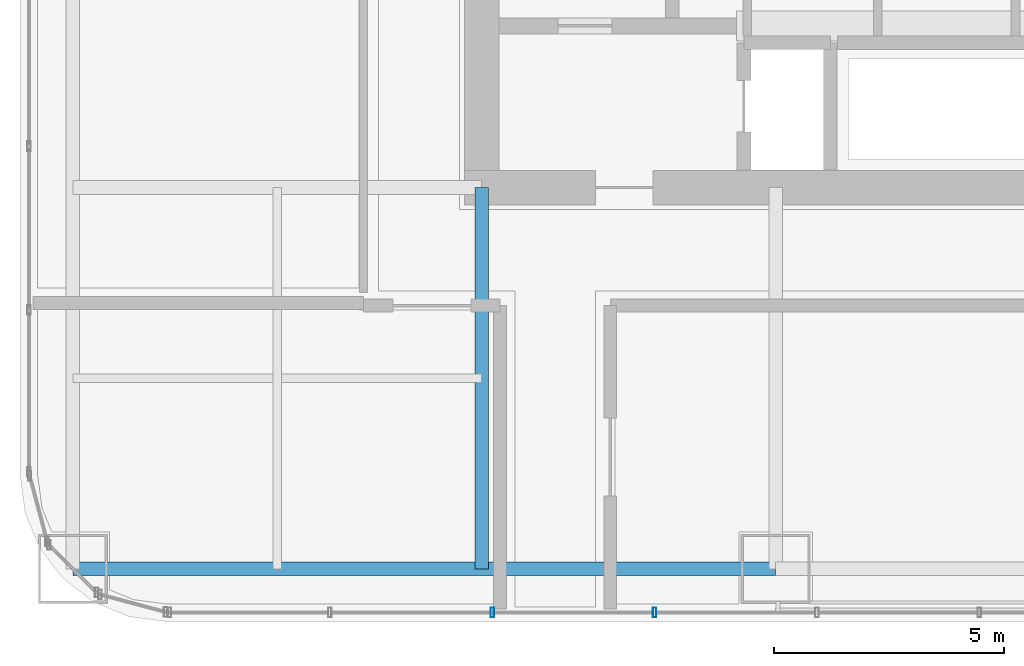
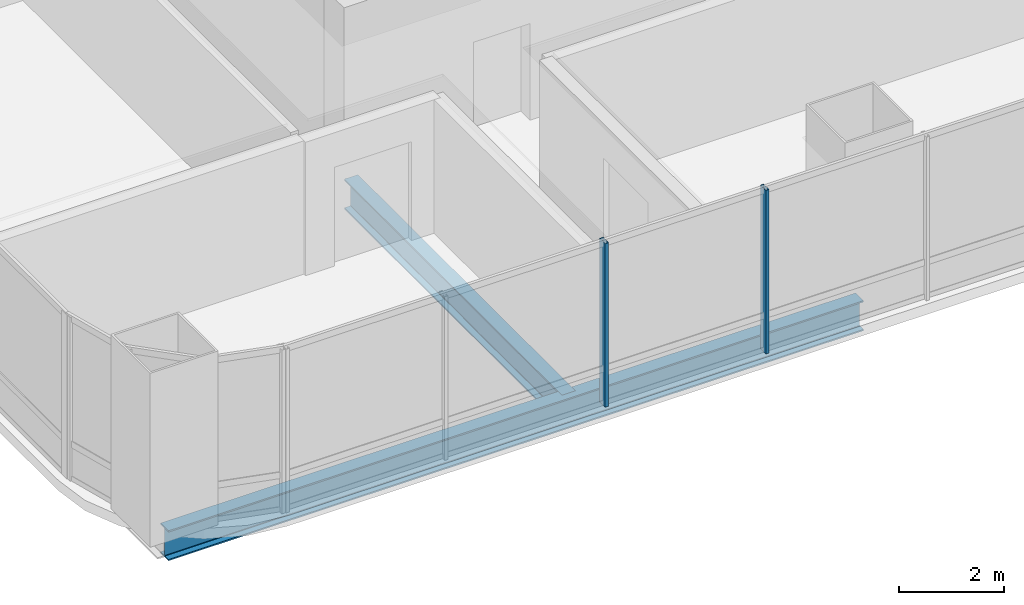
# One storey, part 3 of 34: 2 beams, 2 members, 1 element without a shape of its own.
"""IFC4 building model written with IfcOpenShell, lengths in metres."""

import ifcopenshell
import ifcopenshell.guid

model = None  # the IFC model being written
_history = None  # IfcOwnerHistory: only IFC2X3 demands one
_inside = {}  # id of a spatial element -> (the spatial element, [elements in it])
_under = {}  # id of a project, library or spatial element -> (it, [spatial elements below it])
_declared = {}  # id of a project -> (the project, [libraries it declares])
_typed = {}  # id of a type object -> (the type object, [elements of that type])
_made_of = {}  # id of a material, layer set ... -> (it, [elements and type objects made of it])


def new_model(schema):
    """Start an empty IFC model of exactly this schema.

    Asked for "IFC4X3", IfcOpenShell would pick the latest addendum, in which some entities
    have other attributes; the version numbers below select the first issue.
    IFC2X3 requires an IfcOwnerHistory on every rooted entity: one is made here for all.
    """
    global model, _history
    if schema == "IFC4X3":
        model = ifcopenshell.file(schema_version=(4, 3, 0, 0))
    else:
        model = ifcopenshell.file(schema=schema)
    _inside.clear()
    _under.clear()
    _declared.clear()
    _typed.clear()
    _made_of.clear()
    _history = None
    if model.schema == "IFC2X3":
        org = make("IfcOrganization", Name="unknown")
        user = make(
            "IfcPersonAndOrganization",
            ThePerson=make("IfcPerson", FamilyName="unknown"),
            TheOrganization=org,
        )
        app = make(
            "IfcApplication",
            ApplicationDeveloper=org,
            Version="unknown",
            ApplicationFullName="unknown",
            ApplicationIdentifier="unknown",
        )
        _history = make(
            "IfcOwnerHistory",
            OwningUser=user,
            OwningApplication=app,
            ChangeAction="ADDED",
            CreationDate=0,
        )
    return model


def make(cls, **values):
    """One entity of the class cls with the attributes given. An attribute that is None is left unset."""
    return model.create_entity(
        cls, **{name: value for name, value in values.items() if value is not None}
    )


def rooted(cls, **values):
    """An entity with a GlobalId (a new one), such as an element, a storey or a relation."""
    return make(cls, GlobalId=ifcopenshell.guid.new(), OwnerHistory=_history, **values)


def si_unit(unit_type, name, prefix=None):
    """IfcSIUnit, for example si_unit("LENGTHUNIT", "METRE", prefix="MILLI")."""
    return make("IfcSIUnit", UnitType=unit_type, Prefix=prefix, Name=name)


def assignment(units):
    """IfcUnitAssignment: the units of a project."""
    return None if units is None else make("IfcUnitAssignment", Units=units)


def point(xyz):
    """IfcCartesianPoint."""
    return None if xyz is None else make("IfcCartesianPoint", Coordinates=xyz)


def direction(xyz):
    """IfcDirection."""
    return None if xyz is None else make("IfcDirection", DirectionRatios=xyz)


def frame(location, z_axis=None, x_axis=None):
    """IfcAxis2Placement3D, a coordinate frame: its origin and axes. An axis left out is left unset."""
    return make(
        "IfcAxis2Placement3D",
        Location=point(location),
        Axis=direction(z_axis),
        RefDirection=direction(x_axis),
    )


def frame_2d(location, x_axis=None):
    """IfcAxis2Placement2D, a coordinate frame in the plane: its origin and x axis."""
    return make(
        "IfcAxis2Placement2D", Location=point(location), RefDirection=direction(x_axis)
    )


def origin():
    """The frame at (0, 0, 0) with its axes left unset."""
    return frame((0.0, 0.0, 0.0))


def origin_2d():
    """The frame at (0, 0) in the plane with its x axis left unset."""
    return frame_2d((0.0, 0.0))


def place(relative_to, where):
    """IfcLocalPlacement: puts the frame where relative to a parent placement (None: the world)."""
    return make(
        "IfcLocalPlacement", PlacementRelTo=relative_to, RelativePlacement=where
    )


def context(
    kind, dimensions, precision=None, world=None, true_north=None, identifier=None
):
    """IfcGeometricRepresentationContext, for example the 3D "Model" context."""
    return make(
        "IfcGeometricRepresentationContext",
        ContextIdentifier=identifier,
        ContextType=kind,
        CoordinateSpaceDimension=dimensions,
        Precision=precision,
        WorldCoordinateSystem=world,
        TrueNorth=true_north,
    )


def subcontext(parent, identifier, kind, view, scale=None):
    """IfcGeometricRepresentationSubContext, for example "Body" below "Model"."""
    return make(
        "IfcGeometricRepresentationSubContext",
        ContextIdentifier=identifier,
        ContextType=kind,
        ParentContext=parent,
        TargetScale=scale,
        TargetView=view,
    )


def project(units=None, contexts=None):
    """IfcProject with its units and contexts."""
    return rooted(
        "IfcProject",
        Name="project",
        RepresentationContexts=contexts,
        UnitsInContext=assignment(units),
    )


def spatial(cls, under=None, at=None, **own):
    """A site, building, storey or space (cls), placed at a placement, below another one or the project."""
    s = rooted(cls, ObjectPlacement=at, **own)
    if under is not None:
        _under.setdefault(under.id(), (under, []))[1].append(s)
    return s


def profile(cls, at=None, kind="AREA", **sizes):
    """A parametric profile (cls). Its sizes go by their IFC names, for example OverallWidth=200.0."""
    return make(cls, ProfileType=kind, Position=at, **sizes)


def hollow_rectangle(**sizes):
    """IfcRectangleHollowProfileDef."""
    return profile("IfcRectangleHollowProfileDef", **sizes)


def i_section(**sizes):
    """IfcIShapeProfileDef."""
    return profile("IfcIShapeProfileDef", **sizes)


def extrude(swept, where, along, depth):
    """IfcExtrudedAreaSolid: the profile swept, set in the frame where, extruded along a direction by depth."""
    return make(
        "IfcExtrudedAreaSolid",
        SweptArea=swept,
        Position=where,
        ExtrudedDirection=direction(along),
        Depth=depth,
    )


def shape(context_of_items, identifier, shape_type, items):
    """IfcShapeRepresentation: the items that make up one representation, for example the "Body"."""
    return make(
        "IfcShapeRepresentation",
        ContextOfItems=context_of_items,
        RepresentationIdentifier=identifier,
        RepresentationType=shape_type,
        Items=items,
    )


def material(Name=None, Category=None):
    """IfcMaterial."""
    return make("IfcMaterial", Name=Name, Category=Category)


def material_profile(
    of_material, cross_section, Name=None, Category=None, Priority=None
):
    """IfcMaterialProfile: a cross section and its material."""
    return make(
        "IfcMaterialProfile",
        Name=Name,
        Material=of_material,
        Profile=cross_section,
        Priority=Priority,
        Category=Category,
    )


def profile_set(profiles, Name=None, composite=None):
    """IfcMaterialProfileSet."""
    return make(
        "IfcMaterialProfileSet",
        Name=Name,
        MaterialProfiles=profiles,
        CompositeProfile=composite,
    )


def made_of(thing, what):
    """Note that an element or type object is made of a material, layer set ...; save() writes the relation."""
    if what is not None:
        _made_of.setdefault(what.id(), (what, []))[1].append(thing)
    return thing


def type_object(cls, material=None, **own):
    """A type object (cls), such as IfcWallType, which elements share."""
    return made_of(rooted(cls, **own), material)


def element(
    cls,
    number,
    at=None,
    inside=None,
    cuts=None,
    type_object=None,
    material=None,
    context=None,
    identifier="Body",
    shape_type=None,
    held_by="IfcProductDefinitionShape",
    body=None,
    shapes=None,
    **own,
):
    """One element of the class cls, such as IfcWall. Its Tag is "e" and its number.

    at: its placement. inside: the storey or other place that contains it. cuts: it is an
    opening in that element (IfcRelVoidsElement). A single representation is given by context,
    identifier, shape_type and body (its items); several are given by shapes. held_by: the class
    of the entity that holds the representations. save() writes the other relations.
    """
    e = rooted(cls, Tag="e%d" % number, ObjectPlacement=at, **own)
    if body is not None:
        shapes = [shape(context, identifier, shape_type, body)]
    if shapes is not None:
        e.Representation = make(held_by, Representations=shapes)
    if inside is not None:
        _inside.setdefault(inside.id(), (inside, []))[1].append(e)
    if cuts is not None:
        rooted(
            "IfcRelVoidsElement", RelatingBuildingElement=cuts, RelatedOpeningElement=e
        )
    if type_object is not None:
        _typed.setdefault(type_object.id(), (type_object, []))[1].append(e)
    return made_of(e, material)


def aggregate(whole, parts):
    """IfcRelAggregates: a whole, such as a stair, and the parts it consists of."""
    return rooted("IfcRelAggregates", RelatingObject=whole, RelatedObjects=parts)


def save(model, path):
    """Write the relations noted so far, then the file.

    IfcRelAggregates (storeys below a building ...), IfcRelContainedInSpatialStructure (elements
    in a storey), IfcRelDefinesByType, IfcRelAssociatesMaterial and IfcRelDeclares: one each for
    every whole, place, type object, material and project.
    """
    for whole, parts in _under.values():
        aggregate(whole, parts)
    for where, things in _inside.values():
        rooted(
            "IfcRelContainedInSpatialStructure",
            RelatedElements=things,
            RelatingStructure=where,
        )
    for kind, things in _typed.values():
        rooted("IfcRelDefinesByType", RelatedObjects=things, RelatingType=kind)
    for what, things in _made_of.values():
        rooted("IfcRelAssociatesMaterial", RelatedObjects=things, RelatingMaterial=what)
    for by, libraries in _declared.values():
        rooted("IfcRelDeclares", RelatingContext=by, RelatedDefinitions=libraries)
    model.write(path)


model = new_model("IFC4")

# Units and contexts
model_context = context("Model", 3, precision=1e-05, world=origin(), true_north=direction((0.0, 1.0)))
body_context = subcontext(model_context, "Body", "Model", "MODEL_VIEW")
ifc_project = project(units=[si_unit("LENGTHUNIT", "METRE"), si_unit("AREAUNIT", "SQUARE_METRE"), si_unit("VOLUMEUNIT", "CUBIC_METRE"), si_unit("PLANEANGLEUNIT", "RADIAN"), si_unit("MASSUNIT", "GRAM", prefix="KILO")], contexts=[model_context])

# Site, building, storey
site_placement = place(None, origin())
site = spatial("IfcSite", under=ifc_project, at=site_placement, CompositionType="ELEMENT")
building_placement = place(site_placement, origin())
building = spatial("IfcBuilding", under=site, at=building_placement, Name="Punatoya Terracotta Tower", CompositionType="ELEMENT")
storey_placement = place(building_placement, frame((0.0, 0.0, 97.050048828125)))
storey = spatial("IfcBuildingStorey", under=building, at=storey_placement, Name="L22", CompositionType="ELEMENT", Elevation=97.050048828125)

# Beams
ifc_material_1 = material(Name="Steel S355", Category="steel")
ifc_material_profile_1 = material_profile(ifc_material_1, i_section(OverallWidth=0.300048828125, OverallDepth=0.699951171875, WebThickness=0.01708984375, FlangeThickness=0.031982421875, FilletRadius=0.01806640625, at=origin_2d()))
ifc_profile_set_1 = profile_set([ifc_material_profile_1], Name="Steel S355")
beam_type = type_object("IfcBeamType", Name="BM-PRI-700", PredefinedType="BEAM", material=ifc_profile_set_1)
beam_1_placement = place(storey_placement, frame((-19.10009765625, -17.5, -0.590087890625), z_axis=(1.0, 0.0, 0.0), x_axis=(0.0, 1.0, 0.0)))
element("IfcBeam", 1, at=beam_1_placement, inside=storey, type_object=beam_type, Name="BM-L22-RG-S1", PredefinedType="BEAM", context=body_context, shape_type="SweptSolid", body=[
    extrude(i_section(OverallWidth=0.300048828125, OverallDepth=0.699951171875, WebThickness=0.01708984375, FlangeThickness=0.031982421875, FilletRadius=0.01806640625, at=origin_2d()), origin(), (0.0, 0.0, 1.0), 15.300048828125),
])
beam_2_placement = place(storey_placement, frame((-10.199951171875, -17.5, -0.590087890625), z_axis=(0.0, 1.0, 0.0), x_axis=(-1.0, 0.0, 0.0)))
element("IfcBeam", 2, at=beam_2_placement, inside=storey, type_object=beam_type, Name="BM-L22-PR-S1", PredefinedType="BEAM", context=body_context, shape_type="SweptSolid", body=[
    extrude(i_section(OverallWidth=0.300048828125, OverallDepth=0.699951171875, WebThickness=0.01708984375, FlangeThickness=0.031982421875, FilletRadius=0.01806640625, at=origin_2d()), origin(), (0.0, 0.0, 1.0), 8.300048828125),
])

# Curtain wall, members
ifc_material_2 = material(Name="Aluminium 6063-T6 + Double Low-E Glass", Category="aluminium")
curtain_wall_type = type_object("IfcCurtainWallType", Name="CW-M1", PredefinedType="NOTDEFINED", material=ifc_material_2)
curtain_wall_placement = place(storey_placement, origin())
curtain_wall = element("IfcCurtainWall", 3, at=curtain_wall_placement, inside=storey, type_object=curtain_wall_type, Name="L22 Curtain Wall CW-L22-S01-1", PredefinedType="NOTDEFINED")
ifc_material_3 = material(Name="Aluminium 6063-T6", Category="aluminium")
ifc_material_profile_2 = material_profile(ifc_material_3, hollow_rectangle(XDim=0.074951171875, YDim=0.2099609375, WallThickness=0.00439453125, at=origin_2d()))
ifc_profile_set_2 = profile_set([ifc_material_profile_2], Name="Aluminium 6063-T6")
member_type = type_object("IfcMemberType", Name="CW-MUL-M1", PredefinedType="MULLION", material=ifc_profile_set_2)
member_1_placement = place(storey_placement, frame((-9.968994140625, -18.449951171875, 0.0), z_axis=(0.0, 0.0, 1.0), x_axis=(1.0, 0.0, 0.0)))
member_1 = element("IfcMember", 4, at=member_1_placement, type_object=member_type, Name="CW-L22-S01-1 Mullion 02", PredefinedType="MULLION", context=body_context, shape_type="SweptSolid", body=[
    extrude(hollow_rectangle(XDim=0.074951171875, YDim=0.2099609375, WallThickness=0.00439453125, at=origin_2d()), origin(), (0.0, 0.0, 1.0), 3.81005859375),
])
member_2_placement = place(storey_placement, frame((-6.43505859375, -18.449951171875, 0.0), z_axis=(0.0, 0.0, 1.0), x_axis=(1.0, 0.0, 0.0)))
member_2 = element("IfcMember", 5, at=member_2_placement, type_object=member_type, Name="CW-L22-S01-1 Mullion 03", PredefinedType="MULLION", context=body_context, shape_type="SweptSolid", body=[
    extrude(hollow_rectangle(XDim=0.074951171875, YDim=0.2099609375, WallThickness=0.00439453125, at=origin_2d()), origin(), (0.0, 0.0, 1.0), 3.81005859375),
])
aggregate(curtain_wall, [member_1, member_2])

save(model, "model.ifc")
